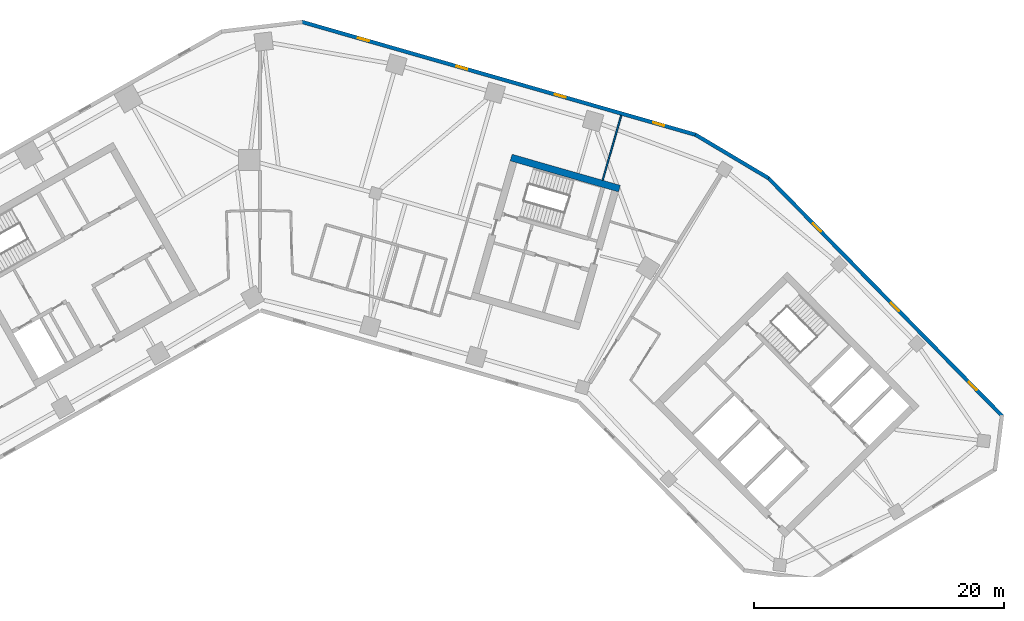
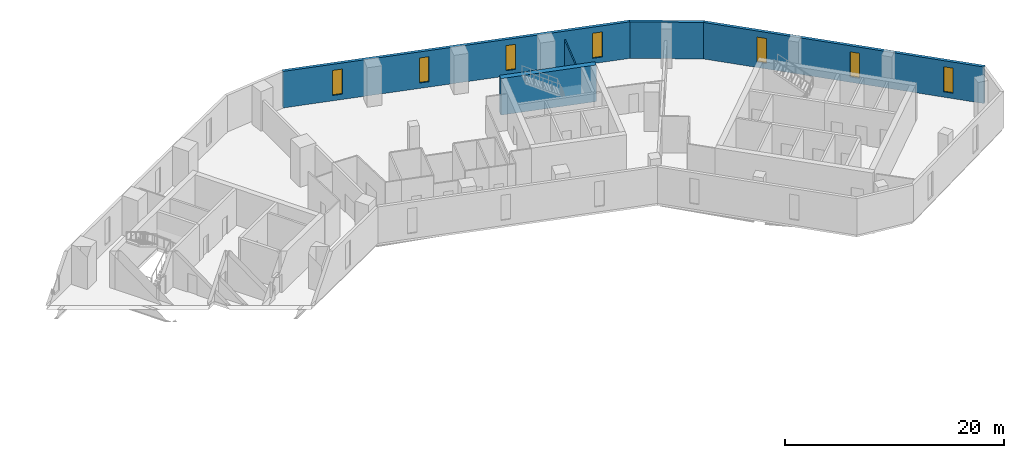
# One storey, part 7 of 10: 7 windows, 5 walls, 7 openings.
"""IFC4 building model written with IfcOpenShell, lengths in metres."""

import ifcopenshell
import ifcopenshell.guid

model = None  # the IFC model being written
_history = None  # IfcOwnerHistory: only IFC2X3 demands one
_inside = {}  # id of a spatial element -> (the spatial element, [elements in it])
_under = {}  # id of a project, library or spatial element -> (it, [spatial elements below it])
_declared = {}  # id of a project -> (the project, [libraries it declares])
_typed = {}  # id of a type object -> (the type object, [elements of that type])
_made_of = {}  # id of a material, layer set ... -> (it, [elements and type objects made of it])


def new_model(schema):
    """Start an empty IFC model of exactly this schema.

    Asked for "IFC4X3", IfcOpenShell would pick the latest addendum, in which some entities
    have other attributes; the version numbers below select the first issue.
    IFC2X3 requires an IfcOwnerHistory on every rooted entity: one is made here for all.
    """
    global model, _history
    if schema == "IFC4X3":
        model = ifcopenshell.file(schema_version=(4, 3, 0, 0))
    else:
        model = ifcopenshell.file(schema=schema)
    _inside.clear()
    _under.clear()
    _declared.clear()
    _typed.clear()
    _made_of.clear()
    _history = None
    if model.schema == "IFC2X3":
        org = make("IfcOrganization", Name="unknown")
        user = make(
            "IfcPersonAndOrganization",
            ThePerson=make("IfcPerson", FamilyName="unknown"),
            TheOrganization=org,
        )
        app = make(
            "IfcApplication",
            ApplicationDeveloper=org,
            Version="unknown",
            ApplicationFullName="unknown",
            ApplicationIdentifier="unknown",
        )
        _history = make(
            "IfcOwnerHistory",
            OwningUser=user,
            OwningApplication=app,
            ChangeAction="ADDED",
            CreationDate=0,
        )
    return model


def make(cls, **values):
    """One entity of the class cls with the attributes given. An attribute that is None is left unset."""
    return model.create_entity(
        cls, **{name: value for name, value in values.items() if value is not None}
    )


def rooted(cls, **values):
    """An entity with a GlobalId (a new one), such as an element, a storey or a relation."""
    return make(cls, GlobalId=ifcopenshell.guid.new(), OwnerHistory=_history, **values)


def si_unit(unit_type, name, prefix=None):
    """IfcSIUnit, for example si_unit("LENGTHUNIT", "METRE", prefix="MILLI")."""
    return make("IfcSIUnit", UnitType=unit_type, Prefix=prefix, Name=name)


def assignment(units):
    """IfcUnitAssignment: the units of a project."""
    return None if units is None else make("IfcUnitAssignment", Units=units)


def point(xyz):
    """IfcCartesianPoint."""
    return None if xyz is None else make("IfcCartesianPoint", Coordinates=xyz)


def direction(xyz):
    """IfcDirection."""
    return None if xyz is None else make("IfcDirection", DirectionRatios=xyz)


def frame(location, z_axis=None, x_axis=None):
    """IfcAxis2Placement3D, a coordinate frame: its origin and axes. An axis left out is left unset."""
    return make(
        "IfcAxis2Placement3D",
        Location=point(location),
        Axis=direction(z_axis),
        RefDirection=direction(x_axis),
    )


def frame_2d(location, x_axis=None):
    """IfcAxis2Placement2D, a coordinate frame in the plane: its origin and x axis."""
    return make(
        "IfcAxis2Placement2D", Location=point(location), RefDirection=direction(x_axis)
    )


def origin():
    """The frame at (0, 0, 0) with its axes left unset."""
    return frame((0.0, 0.0, 0.0))


def place(relative_to, where):
    """IfcLocalPlacement: puts the frame where relative to a parent placement (None: the world)."""
    return make(
        "IfcLocalPlacement", PlacementRelTo=relative_to, RelativePlacement=where
    )


def context(
    kind, dimensions, precision=None, world=None, true_north=None, identifier=None
):
    """IfcGeometricRepresentationContext, for example the 3D "Model" context."""
    return make(
        "IfcGeometricRepresentationContext",
        ContextIdentifier=identifier,
        ContextType=kind,
        CoordinateSpaceDimension=dimensions,
        Precision=precision,
        WorldCoordinateSystem=world,
        TrueNorth=true_north,
    )


def subcontext(parent, identifier, kind, view, scale=None):
    """IfcGeometricRepresentationSubContext, for example "Body" below "Model"."""
    return make(
        "IfcGeometricRepresentationSubContext",
        ContextIdentifier=identifier,
        ContextType=kind,
        ParentContext=parent,
        TargetScale=scale,
        TargetView=view,
    )


def project(units=None, contexts=None):
    """IfcProject with its units and contexts."""
    return rooted(
        "IfcProject",
        Name="project",
        RepresentationContexts=contexts,
        UnitsInContext=assignment(units),
    )


def spatial(cls, under=None, at=None, **own):
    """A site, building, storey or space (cls), placed at a placement, below another one or the project."""
    s = rooted(cls, ObjectPlacement=at, **own)
    if under is not None:
        _under.setdefault(under.id(), (under, []))[1].append(s)
    return s


def profile(cls, at=None, kind="AREA", **sizes):
    """A parametric profile (cls). Its sizes go by their IFC names, for example OverallWidth=200.0."""
    return make(cls, ProfileType=kind, Position=at, **sizes)


def rectangle(**sizes):
    """IfcRectangleProfileDef."""
    return profile("IfcRectangleProfileDef", **sizes)


def extrude(swept, where, along, depth):
    """IfcExtrudedAreaSolid: the profile swept, set in the frame where, extruded along a direction by depth."""
    return make(
        "IfcExtrudedAreaSolid",
        SweptArea=swept,
        Position=where,
        ExtrudedDirection=direction(along),
        Depth=depth,
    )


def shape(context_of_items, identifier, shape_type, items):
    """IfcShapeRepresentation: the items that make up one representation, for example the "Body"."""
    return make(
        "IfcShapeRepresentation",
        ContextOfItems=context_of_items,
        RepresentationIdentifier=identifier,
        RepresentationType=shape_type,
        Items=items,
    )


def material(Name=None, Category=None):
    """IfcMaterial."""
    return make("IfcMaterial", Name=Name, Category=Category)


def layer(
    of_material, thickness, ventilated=None, Name=None, Category=None, Priority=None
):
    """IfcMaterialLayer: one layer of a wall or slab, of a material (None: an air gap)."""
    return make(
        "IfcMaterialLayer",
        Material=of_material,
        LayerThickness=thickness,
        IsVentilated=ventilated,
        Name=Name,
        Category=Category,
        Priority=Priority,
    )


def layer_set(layers, Name=None):
    """IfcMaterialLayerSet."""
    return make("IfcMaterialLayerSet", MaterialLayers=layers, LayerSetName=Name)


def made_of(thing, what):
    """Note that an element or type object is made of a material, layer set ...; save() writes the relation."""
    if what is not None:
        _made_of.setdefault(what.id(), (what, []))[1].append(thing)
    return thing


def type_object(cls, material=None, **own):
    """A type object (cls), such as IfcWallType, which elements share."""
    return made_of(rooted(cls, **own), material)


def element(
    cls,
    number,
    at=None,
    inside=None,
    cuts=None,
    type_object=None,
    material=None,
    context=None,
    identifier="Body",
    shape_type=None,
    held_by="IfcProductDefinitionShape",
    body=None,
    shapes=None,
    **own,
):
    """One element of the class cls, such as IfcWall. Its Tag is "e" and its number.

    at: its placement. inside: the storey or other place that contains it. cuts: it is an
    opening in that element (IfcRelVoidsElement). A single representation is given by context,
    identifier, shape_type and body (its items); several are given by shapes. held_by: the class
    of the entity that holds the representations. save() writes the other relations.
    """
    e = rooted(cls, Tag="e%d" % number, ObjectPlacement=at, **own)
    if body is not None:
        shapes = [shape(context, identifier, shape_type, body)]
    if shapes is not None:
        e.Representation = make(held_by, Representations=shapes)
    if inside is not None:
        _inside.setdefault(inside.id(), (inside, []))[1].append(e)
    if cuts is not None:
        rooted(
            "IfcRelVoidsElement", RelatingBuildingElement=cuts, RelatedOpeningElement=e
        )
    if type_object is not None:
        _typed.setdefault(type_object.id(), (type_object, []))[1].append(e)
    return made_of(e, material)


def fill(opening, filler):
    """IfcRelFillsElement: the door or window that sits in an opening."""
    return rooted(
        "IfcRelFillsElement",
        RelatingOpeningElement=opening,
        RelatedBuildingElement=filler,
    )


def aggregate(whole, parts):
    """IfcRelAggregates: a whole, such as a stair, and the parts it consists of."""
    return rooted("IfcRelAggregates", RelatingObject=whole, RelatedObjects=parts)


def save(model, path):
    """Write the relations noted so far, then the file.

    IfcRelAggregates (storeys below a building ...), IfcRelContainedInSpatialStructure (elements
    in a storey), IfcRelDefinesByType, IfcRelAssociatesMaterial and IfcRelDeclares: one each for
    every whole, place, type object, material and project.
    """
    for whole, parts in _under.values():
        aggregate(whole, parts)
    for where, things in _inside.values():
        rooted(
            "IfcRelContainedInSpatialStructure",
            RelatedElements=things,
            RelatingStructure=where,
        )
    for kind, things in _typed.values():
        rooted("IfcRelDefinesByType", RelatedObjects=things, RelatingType=kind)
    for what, things in _made_of.values():
        rooted("IfcRelAssociatesMaterial", RelatedObjects=things, RelatingMaterial=what)
    for by, libraries in _declared.values():
        rooted("IfcRelDeclares", RelatingContext=by, RelatedDefinitions=libraries)
    model.write(path)


model = new_model("IFC4")

# Units and contexts
model_context = context("Model", 3, precision=1e-05, world=origin(), true_north=direction((0.0, 1.0)))
body_context = subcontext(model_context, "Body", "Model", "MODEL_VIEW")
ifc_project = project(units=[si_unit("LENGTHUNIT", "METRE"), si_unit("AREAUNIT", "SQUARE_METRE"), si_unit("VOLUMEUNIT", "CUBIC_METRE"), si_unit("PLANEANGLEUNIT", "RADIAN"), si_unit("MASSUNIT", "GRAM", prefix="KILO")], contexts=[model_context])

# Site, building, storey
site_placement = place(None, origin())
site = spatial("IfcSite", under=ifc_project, at=site_placement, CompositionType="ELEMENT")
building_placement = place(site_placement, origin())
building = spatial("IfcBuilding", under=site, at=building_placement, Name="Binnacle Exchange Tower", CompositionType="ELEMENT")
storey_placement = place(building_placement, frame((0.0, 0.0, 127.89990234375)))
storey = spatial("IfcBuildingStorey", under=building, at=storey_placement, Name="L26", CompositionType="ELEMENT", Elevation=127.89990234375)

# Walls
ifc_material_1 = material(Name="Concrete C70/85", Category="concrete")
ifc_layer_1 = layer(ifc_material_1, 0.550048828125)
ifc_layer_set_1 = layer_set([ifc_layer_1], Name="Core wall - outer 550")
wall_type_1 = type_object("IfcWallType", Name="Core wall - outer 550", PredefinedType="SOLIDWALL", material=ifc_layer_set_1)
wall_1_placement = place(storey_placement, frame((20.059814453125, 60.20361328125, 0.0), z_axis=(0.0, 0.0, 1.0), x_axis=(0.96126248289, -0.275634611374, 0.0)))
element("IfcWall", 1, at=wall_1_placement, inside=storey, type_object=wall_type_1, Name="Core wall CRWD6", PredefinedType="SOLIDWALL", context=body_context, shape_type="SweptSolid", body=[
    extrude(rectangle(XDim=9.0, YDim=0.550048828125, at=frame_2d((4.5, 0.0))), origin(), (0.0, 0.0, 1.0), 4.080078125),
])
ifc_material_2 = material(Name="Bronze aluminium cladding", Category="aluminium")
ifc_layer_2 = layer(ifc_material_2, 0.300048828125)
ifc_layer_set_2 = layer_set([ifc_layer_2], Name="External wall - spandrel 300")
wall_type_2 = type_object("IfcWallType", Name="External wall - spandrel 300", PredefinedType="STANDARD", material=ifc_layer_set_2)
wall_2_placement = place(storey_placement, frame((34.773193359375, 62.0341796875, 0.0), z_axis=(0.0, 0.0, 1.0), x_axis=(0.859401317772, -0.511301647769, 0.0)))
element("IfcWall", 2, at=wall_2_placement, inside=storey, type_object=wall_type_2, Name="External wall EW-F00 L26", PredefinedType="STANDARD", context=body_context, shape_type="SweptSolid", body=[
    extrude(rectangle(XDim=6.80810546875, YDim=0.300048828125, at=frame_2d((3.404052734375, 0.0))), origin(), (0.0, 0.0, 1.0), 4.080078125),
])

# Wall, openings, windows
wall_3_placement = place(storey_placement, frame((3.33544921875, 71.043701171875, 0.0), z_axis=(0.0, 0.0, 1.0), x_axis=(0.961260130989, -0.275642813387, 0.0)))
wall_3 = element("IfcWall", 3, at=wall_3_placement, inside=storey, type_object=wall_type_2, Name="External wall EW-F01 L26", PredefinedType="STANDARD", context=body_context, shape_type="SweptSolid", body=[
    extrude(rectangle(XDim=32.7412109375, YDim=0.300048828125, at=frame_2d((16.37060546875, 0.0))), origin(), (0.0, 0.0, 1.0), 4.080078125),
])
opening_1_placement = place(wall_3_placement, frame((29.20703125, 0.0, 0.60009765625)))
opening_1 = element("IfcOpeningElement", 4, at=opening_1_placement, cuts=wall_3, Name="Opening WS2", PredefinedType="OPENING", context=body_context, shape_type="SweptSolid", body=[
    extrude(rectangle(XDim=0.89990234375, YDim=2.800048828125, at=frame_2d((0.449951171875, 1.39990234375))), frame((0.0, 0.159912109375, 0.0), z_axis=(0.0, -1.0, 0.0), x_axis=(1.0, 0.0, 0.0)), (0.0, 0.0, 1.0), 0.320068359375),
])
opening_2_placement = place(wall_3_placement, frame((21.0341796875, 0.0, 0.60009765625)))
opening_2 = element("IfcOpeningElement", 5, at=opening_2_placement, cuts=wall_3, Name="Opening WS2", PredefinedType="OPENING", context=body_context, shape_type="SweptSolid", body=[
    extrude(rectangle(XDim=0.89990234375, YDim=2.800048828125, at=frame_2d((0.449951171875, 1.39990234375))), frame((0.0, 0.159912109375, 0.0), z_axis=(0.0, -1.0, 0.0), x_axis=(1.0, 0.0, 0.0)), (0.0, 0.0, 1.0), 0.320068359375),
])
opening_3_placement = place(wall_3_placement, frame((12.861083984375, 0.0, 0.60009765625)))
opening_3 = element("IfcOpeningElement", 6, at=opening_3_placement, cuts=wall_3, Name="Opening WS2", PredefinedType="OPENING", context=body_context, shape_type="SweptSolid", body=[
    extrude(rectangle(XDim=0.89990234375, YDim=2.800048828125, at=frame_2d((0.449951171875, 1.39990234375))), frame((0.0, 0.159912109375, 0.0), z_axis=(0.0, -1.0, 0.0), x_axis=(1.0, 0.0, 0.0)), (0.0, 0.0, 1.0), 0.320068359375),
])
opening_4_placement = place(wall_3_placement, frame((4.688232421875, 0.0, 0.60009765625)))
opening_4 = element("IfcOpeningElement", 7, at=opening_4_placement, cuts=wall_3, Name="Opening WS2", PredefinedType="OPENING", context=body_context, shape_type="SweptSolid", body=[
    extrude(rectangle(XDim=0.89990234375, YDim=2.800048828125, at=frame_2d((0.449951171875, 1.39990234375))), frame((0.0, 0.159912109375, 0.0), z_axis=(0.0, -1.0, 0.0), x_axis=(1.0, 0.0, 0.0)), (0.0, 0.0, 1.0), 0.320068359375),
])
ifc_material_3 = material(Name="Bronze anodised aluminium frame", Category="aluminium")
window_type = type_object("IfcWindowType", Name="WS2 WINDOW 900x2800", PartitioningType="SINGLE_PANEL", PredefinedType="WINDOW", material=ifc_material_3)
window_1_placement = place(opening_1_placement, origin())
window_1 = element("IfcWindow", 8, at=window_1_placement, inside=storey, type_object=window_type, Name="Window WS2 L26", OverallHeight=2.800048828125, OverallWidth=0.89990234375, PartitioningType="SINGLE_PANEL", PredefinedType="WINDOW", context=body_context, shape_type="SweptSolid", body=[
    extrude(rectangle(XDim=0.89990234375, YDim=2.800048828125, at=frame_2d((0.449951171875, 1.39990234375))), frame((0.0, 0.030029296875, 0.0), z_axis=(0.0, -1.0, 0.0), x_axis=(1.0, 0.0, 0.0)), (0.0, 0.0, 1.0), 0.06005859375),
])
fill(opening_1, window_1)
window_2_placement = place(opening_2_placement, origin())
window_2 = element("IfcWindow", 9, at=window_2_placement, inside=storey, type_object=window_type, Name="Window WS2 L26", OverallHeight=2.800048828125, OverallWidth=0.89990234375, PartitioningType="SINGLE_PANEL", PredefinedType="WINDOW", context=body_context, shape_type="SweptSolid", body=[
    extrude(rectangle(XDim=0.89990234375, YDim=2.800048828125, at=frame_2d((0.449951171875, 1.39990234375))), frame((0.0, 0.030029296875, 0.0), z_axis=(0.0, -1.0, 0.0), x_axis=(1.0, 0.0, 0.0)), (0.0, 0.0, 1.0), 0.06005859375),
])
fill(opening_2, window_2)
window_3_placement = place(opening_3_placement, origin())
window_3 = element("IfcWindow", 10, at=window_3_placement, inside=storey, type_object=window_type, Name="Window WS2 L26", OverallHeight=2.800048828125, OverallWidth=0.89990234375, PartitioningType="SINGLE_PANEL", PredefinedType="WINDOW", context=body_context, shape_type="SweptSolid", body=[
    extrude(rectangle(XDim=0.89990234375, YDim=2.800048828125, at=frame_2d((0.449951171875, 1.39990234375))), frame((0.0, 0.030029296875, 0.0), z_axis=(0.0, -1.0, 0.0), x_axis=(1.0, 0.0, 0.0)), (0.0, 0.0, 1.0), 0.06005859375),
])
fill(opening_3, window_3)
window_4_placement = place(opening_4_placement, origin())
window_4 = element("IfcWindow", 11, at=window_4_placement, inside=storey, type_object=window_type, Name="Window WS2 L26", OverallHeight=2.800048828125, OverallWidth=0.89990234375, PartitioningType="SINGLE_PANEL", PredefinedType="WINDOW", context=body_context, shape_type="SweptSolid", body=[
    extrude(rectangle(XDim=0.89990234375, YDim=2.800048828125, at=frame_2d((0.449951171875, 1.39990234375))), frame((0.0, 0.030029296875, 0.0), z_axis=(0.0, -1.0, 0.0), x_axis=(1.0, 0.0, 0.0)), (0.0, 0.0, 1.0), 0.06005859375),
])
fill(opening_4, window_4)

wall_4_placement = place(storey_placement, frame((40.59375, 58.576904296875, 0.0), z_axis=(0.0, 0.0, 1.0), x_axis=(0.700909719808, -0.713250001528, 0.0)))
wall_4 = element("IfcWall", 12, at=wall_4_placement, inside=storey, type_object=wall_type_2, Name="External wall EW-F13 L26", PredefinedType="STANDARD", context=body_context, shape_type="SweptSolid", body=[
    extrude(rectangle(XDim=26.70849609375, YDim=0.300048828125, at=frame_2d((13.354248046875, 0.0))), origin(), (0.0, 0.0, 1.0), 4.080078125),
])
opening_5_placement = place(wall_4_placement, frame((22.8583984375, 0.0, 0.60009765625)))
opening_5 = element("IfcOpeningElement", 13, at=opening_5_placement, cuts=wall_4, Name="Opening WS2", PredefinedType="OPENING", context=body_context, shape_type="SweptSolid", body=[
    extrude(rectangle(XDim=0.89990234375, YDim=2.800048828125, at=frame_2d((0.449951171875, 1.39990234375))), frame((0.0, 0.159912109375, 0.0), z_axis=(0.0, -1.0, 0.0), x_axis=(1.0, 0.0, 0.0)), (0.0, 0.0, 1.0), 0.320068359375),
])
opening_6_placement = place(wall_4_placement, frame((13.986572265625, 0.0, 0.60009765625)))
opening_6 = element("IfcOpeningElement", 14, at=opening_6_placement, cuts=wall_4, Name="Opening WS2", PredefinedType="OPENING", context=body_context, shape_type="SweptSolid", body=[
    extrude(rectangle(XDim=0.89990234375, YDim=2.800048828125, at=frame_2d((0.449951171875, 1.39990234375))), frame((0.0, 0.159912109375, 0.0), z_axis=(0.0, -1.0, 0.0), x_axis=(1.0, 0.0, 0.0)), (0.0, 0.0, 1.0), 0.320068359375),
])
opening_7_placement = place(wall_4_placement, frame((5.114501953125, 0.0, 0.60009765625)))
opening_7 = element("IfcOpeningElement", 15, at=opening_7_placement, cuts=wall_4, Name="Opening WS2", PredefinedType="OPENING", context=body_context, shape_type="SweptSolid", body=[
    extrude(rectangle(XDim=0.89990234375, YDim=2.800048828125, at=frame_2d((0.449951171875, 1.39990234375))), frame((0.0, 0.159912109375, 0.0), z_axis=(0.0, -1.0, 0.0), x_axis=(1.0, 0.0, 0.0)), (0.0, 0.0, 1.0), 0.320068359375),
])
window_5_placement = place(opening_5_placement, origin())
window_5 = element("IfcWindow", 16, at=window_5_placement, inside=storey, type_object=window_type, Name="Window WS2 L26", OverallHeight=2.800048828125, OverallWidth=0.89990234375, PartitioningType="SINGLE_PANEL", PredefinedType="WINDOW", context=body_context, shape_type="SweptSolid", body=[
    extrude(rectangle(XDim=0.89990234375, YDim=2.800048828125, at=frame_2d((0.449951171875, 1.39990234375))), frame((0.0, 0.030029296875, 0.0), z_axis=(0.0, -1.0, 0.0), x_axis=(1.0, 0.0, 0.0)), (0.0, 0.0, 1.0), 0.06005859375),
])
fill(opening_5, window_5)
window_6_placement = place(opening_6_placement, origin())
window_6 = element("IfcWindow", 17, at=window_6_placement, inside=storey, type_object=window_type, Name="Window WS2 L26", OverallHeight=2.800048828125, OverallWidth=0.89990234375, PartitioningType="SINGLE_PANEL", PredefinedType="WINDOW", context=body_context, shape_type="SweptSolid", body=[
    extrude(rectangle(XDim=0.89990234375, YDim=2.800048828125, at=frame_2d((0.449951171875, 1.39990234375))), frame((0.0, 0.030029296875, 0.0), z_axis=(0.0, -1.0, 0.0), x_axis=(1.0, 0.0, 0.0)), (0.0, 0.0, 1.0), 0.06005859375),
])
fill(opening_6, window_6)
window_7_placement = place(opening_7_placement, origin())
window_7 = element("IfcWindow", 18, at=window_7_placement, inside=storey, type_object=window_type, Name="Window WS2 L26", OverallHeight=2.800048828125, OverallWidth=0.89990234375, PartitioningType="SINGLE_PANEL", PredefinedType="WINDOW", context=body_context, shape_type="SweptSolid", body=[
    extrude(rectangle(XDim=0.89990234375, YDim=2.800048828125, at=frame_2d((0.449951171875, 1.39990234375))), frame((0.0, 0.030029296875, 0.0), z_axis=(0.0, -1.0, 0.0), x_axis=(1.0, 0.0, 0.0)), (0.0, 0.0, 1.0), 0.06005859375),
])
fill(opening_7, window_7)

# Wall
ifc_material_4 = material(Name="Gypsum partition")
ifc_layer_3 = layer(ifc_material_4, 0.125)
ifc_layer_set_3 = layer_set([ifc_layer_3], Name="Partition 125")
wall_type_3 = type_object("IfcWallType", Name="Partition 125", PredefinedType="PARTITIONING", material=ifc_layer_set_3)
wall_5_placement = place(storey_placement, frame((27.367919921875, 58.39404296875, 0.0), z_axis=(0.0, 0.0, 1.0), x_axis=(0.276295387056, 0.961072764722, 0.0)))
element("IfcWall", 19, at=wall_5_placement, inside=storey, type_object=wall_type_3, Name="Partition W33", PredefinedType="PARTITIONING", context=body_context, shape_type="SweptSolid", body=[
    extrude(rectangle(XDim=5.3857421875, YDim=0.125, at=frame_2d((2.69287109375, 0.0))), origin(), (0.0, 0.0, 1.0), 3.14208984375),
])

save(model, "model.ifc")
